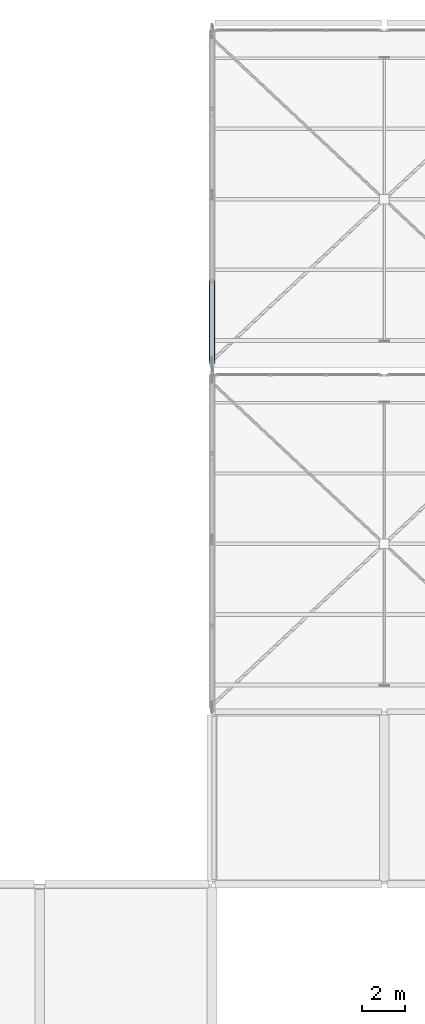
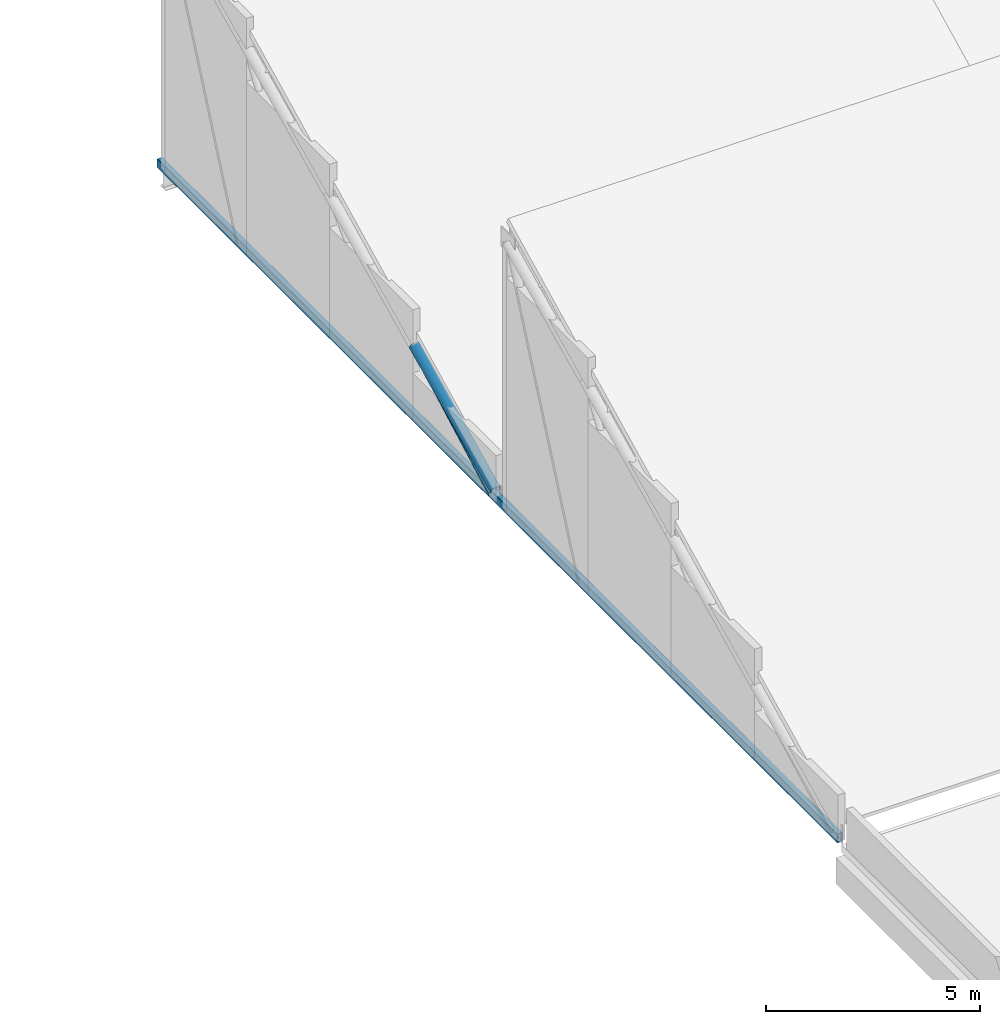
# One storey, part 40 of 137: 3 members.
"""IFC4 building model written with IfcOpenShell, lengths in metres."""

from ifc_helpers import new_model, si_unit, direction, frame, origin, origin_2d, place, context, subcontext, project, spatial, hollow_rectangle, hollow_circle, extrude, material, material_profile, profile_set, type_object, element, save


model = new_model("IFC4")

# Units and contexts
model_context = context("Model", 3, precision=1e-05, world=origin(), true_north=direction((0.0, 1.0)))
body_context = subcontext(model_context, "Body", "Model", "MODEL_VIEW")
ifc_project = project(units=[si_unit("LENGTHUNIT", "METRE"), si_unit("AREAUNIT", "SQUARE_METRE"), si_unit("VOLUMEUNIT", "CUBIC_METRE"), si_unit("PLANEANGLEUNIT", "RADIAN"), si_unit("MASSUNIT", "GRAM", prefix="KILO")], contexts=[model_context])

# Site, building, storey
site_placement = place(None, origin())
site = spatial("IfcSite", under=ifc_project, at=site_placement, CompositionType="ELEMENT")
building_placement = place(site_placement, origin())
building = spatial("IfcBuilding", under=site, at=building_placement, Name="Jelvoka-Kovrelna Polytechnic", CompositionType="ELEMENT")
storey_placement = place(building_placement, frame((0.0, 0.0, 9.60009765625)))
storey = spatial("IfcBuildingStorey", under=building, at=storey_placement, Name="L03", CompositionType="ELEMENT", Elevation=9.60009765625)

# Members
ifc_material_1 = material(Name="Structural steel S355J2H", Category="steel")
ifc_material_profile_1 = material_profile(ifc_material_1, hollow_circle(Radius=0.109619140625, WallThickness=0.008056640625, at=origin_2d()), Name="219.1x8.0 CHS")
ifc_profile_set_1 = profile_set([ifc_material_profile_1], Name="Structural steel S355J2H")
member_type_1 = type_object("IfcMemberType", Name="Member_Brace_CHS219", PredefinedType="BRACE", material=ifc_profile_set_1)
member_1_placement = place(storey_placement, frame((88.0, 104.340087890625, 0.14990234375), z_axis=(0.0, 0.878084029324, 0.478506465418), x_axis=(-1.0, 0.0, 0.0)))
element("IfcMember", 1, at=member_1_placement, inside=storey, type_object=member_type_1, Name="Sawtooth truss 1 diagonal web 2.1", PredefinedType="BRACE", context=body_context, shape_type="SweptSolid", body=[
    extrude(hollow_circle(Radius=0.109619140625, WallThickness=0.008056640625, at=origin_2d()), origin(), (0.0, 0.0, 1.0), 4.0087890625),
])
ifc_material_2 = material(Name="Structural steel S355J2H", Category="steel")
ifc_material_profile_2 = material_profile(ifc_material_2, hollow_circle(Radius=0.136474609375, WallThickness=0.010009765625, at=origin_2d()), Name="273.0x10.0 CHS")
ifc_profile_set_2 = profile_set([ifc_material_profile_2], Name="Structural steel S355J2H")
member_type_2 = type_object("IfcMemberType", Name="Member_Chord_CHS273", PredefinedType="CHORD", material=ifc_profile_set_2)
member_2_placement = place(storey_placement, frame((88.0, 104.199951171875, 0.31640625), z_axis=(0.0, 0.900803851837, 0.434226231952), x_axis=(-1.0, 0.0, 0.0)))
element("IfcMember", 2, at=member_2_placement, inside=storey, type_object=member_type_2, Name="Sawtooth truss 1 top chord 2.1", PredefinedType="CHORD", context=body_context, shape_type="SweptSolid", body=[
    extrude(hollow_circle(Radius=0.136474609375, WallThickness=0.010009765625, at=origin_2d()), origin(), (0.0, 0.0, 1.0), 4.218505859375),
])
ifc_material_3 = material(Name="Structural steel S355J2H", Category="steel")
ifc_material_profile_3 = material_profile(ifc_material_3, hollow_rectangle(XDim=0.14990234375, YDim=0.25, WallThickness=0.010009765625, InnerFilletRadius=0.010009765625, OuterFilletRadius=0.014892578125, at=origin_2d()), Name="250x150x10.0 RHS")
ifc_profile_set_3 = profile_set([ifc_material_profile_3], Name="Structural steel S355J2H")
member_type_3 = type_object("IfcMemberType", Name="Member_Chord_RHS250", PredefinedType="CHORD", material=ifc_profile_set_3)
member_3_placement = place(storey_placement, frame((88.0, 88.080078125, 0.14990234375), z_axis=(0.0, 1.0, 0.0), x_axis=(-1.0, 0.0, 0.0)))
element("IfcMember", 3, at=member_3_placement, inside=storey, type_object=member_type_3, Name="Sawtooth truss 1 continuous bottom chord", PredefinedType="CHORD", context=body_context, shape_type="SweptSolid", body=[
    extrude(hollow_rectangle(XDim=0.14990234375, YDim=0.25, WallThickness=0.010009765625, InnerFilletRadius=0.010009765625, OuterFilletRadius=0.014892578125, at=origin_2d()), origin(), (0.0, 0.0, 1.0), 31.83984375),
])

save(model, "model.ifc")
